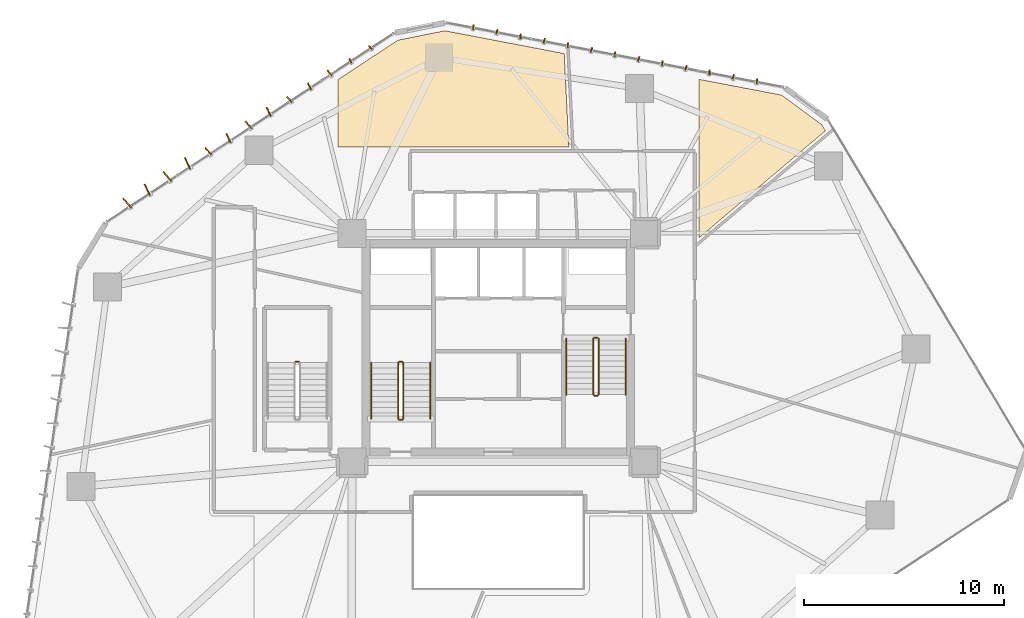
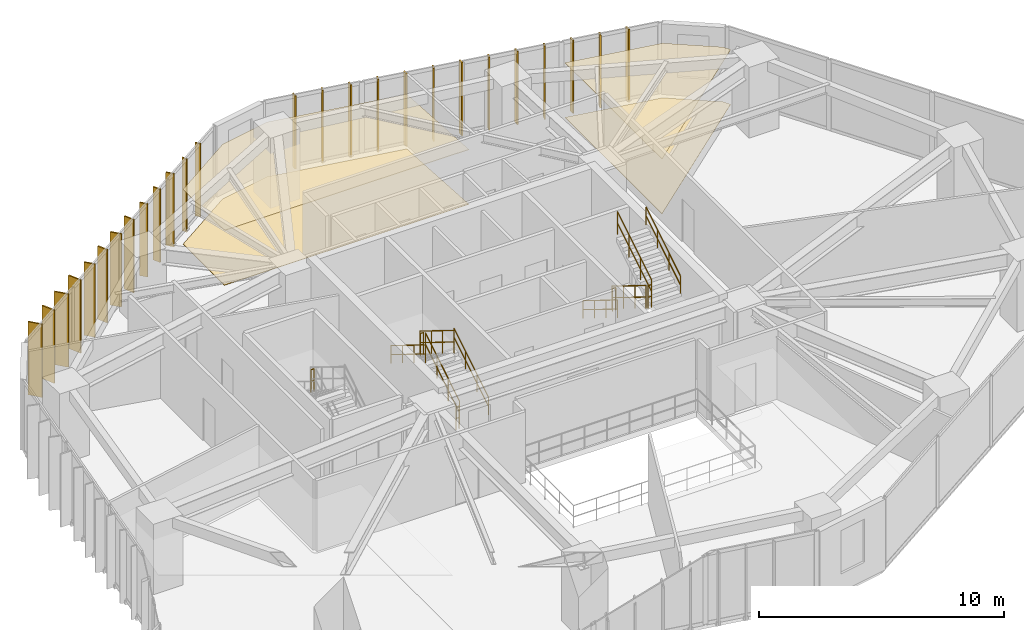
# One storey, part 20 of 20: 26 shading devices, 13 railings, 4 coverings.
"""IFC4 building model written with IfcOpenShell, lengths in metres."""

from ifc_helpers import new_model, si_unit, direction, frame, origin, origin_2d, place, context, subcontext, project, spatial, polyline, rectangle, circle, outline, extrude, source, transform, mapped, material, layer, layer_set, type_object, type_shapes, element, save


model = new_model("IFC4")

# Units and contexts
model_context = context("Model", 3, precision=1e-05, world=origin(), true_north=direction((0.0, 1.0)))
body_context = subcontext(model_context, "Body", "Model", "MODEL_VIEW")
ifc_project = project(units=[si_unit("LENGTHUNIT", "METRE"), si_unit("AREAUNIT", "SQUARE_METRE"), si_unit("VOLUMEUNIT", "CUBIC_METRE"), si_unit("PLANEANGLEUNIT", "RADIAN"), si_unit("MASSUNIT", "GRAM", prefix="KILO")], contexts=[model_context])

# Site, building, storey
site_placement = place(None, origin())
site = spatial("IfcSite", under=ifc_project, at=site_placement, CompositionType="ELEMENT")
building_placement = place(site_placement, origin())
building = spatial("IfcBuilding", under=site, at=building_placement, Name="Talar Marvaseh", CompositionType="ELEMENT")
storey_placement = place(building_placement, frame((0.0, 0.0, 58.199951171875)))
storey = spatial("IfcBuildingStorey", under=building, at=storey_placement, Name="L14", CompositionType="ELEMENT", Elevation=58.199951171875)

# Railings
ifc_material_1 = material(Name="Stainless Steel Grade 316", Category="steel")
railing_type_1 = type_object("IfcRailingType", Name="Brushed Stainless Wall Pitch Handrail 900", PredefinedType="HANDRAIL", material=ifc_material_1)
railing_1_placement = place(storey_placement, frame((22.610107421875, 27.64990234375, 0.1728515625)))
element("IfcRailing", 1, at=railing_1_placement, inside=storey, type_object=railing_type_1, Name="L14 ST-1 stair handrail 1", PredefinedType="HANDRAIL", context=body_context, shape_type="SweptSolid", body=[
    extrude(circle(Radius=0.02392578125, at=origin_2d()), frame((0.0, 0.0, 0.8759765625), z_axis=(0.0, 0.851089632645, 0.525020415988), x_axis=(-1.0, 0.0, 0.0)), (0.0, 0.0, 1.0), 3.2900390625),
    extrude(circle(Radius=0.02392578125, at=origin_2d()), frame((0.0, 0.0, 0.42578125), z_axis=(0.0, 0.851089632645, 0.525020415988), x_axis=(-1.0, 0.0, 0.0)), (0.0, 0.0, 1.0), 3.2900390625),
    extrude(circle(Radius=0.02099609375, at=origin_2d()), origin(), (0.0, 0.0, 1.0), 0.851806640625),
    extrude(circle(Radius=0.02099609375, at=origin_2d()), frame((0.0, 0.933349609375, 0.57568359375)), (0.0, 0.0, 1.0), 0.851806640625),
    extrude(circle(Radius=0.02099609375, at=origin_2d()), frame((0.0, 1.86669921875, 1.151611328125)), (0.0, 0.0, 1.0), 0.851806640625),
    extrude(circle(Radius=0.02099609375, at=origin_2d()), frame((0.0, 2.800048828125, 1.727294921875)), (0.0, 0.0, 1.0), 0.851806640625),
])
railing_2_placement = place(storey_placement, frame((19.64990234375, 30.449951171875, 2.07275390625)))
element("IfcRailing", 2, at=railing_2_placement, inside=storey, type_object=railing_type_1, Name="L14 ST-1 stair handrail 2", PredefinedType="HANDRAIL", context=body_context, shape_type="SweptSolid", body=[
    extrude(circle(Radius=0.02392578125, at=origin_2d()), frame((0.0, 0.0, 0.8759765625), z_axis=(0.0, -0.851089632645, 0.525020415988), x_axis=(1.0, 0.0, 0.0)), (0.0, 0.0, 1.0), 3.2900390625),
    extrude(circle(Radius=0.02392578125, at=origin_2d()), frame((0.0, 0.0, 0.42578125), z_axis=(0.0, -0.851089632645, 0.525020415988), x_axis=(1.0, 0.0, 0.0)), (0.0, 0.0, 1.0), 3.2900390625),
    extrude(circle(Radius=0.02099609375, at=origin_2d()), origin(), (0.0, 0.0, 1.0), 0.851806640625),
    extrude(circle(Radius=0.02099609375, at=origin_2d()), frame((0.0, -0.933349609375, 0.57568359375)), (0.0, 0.0, 1.0), 0.851806640625),
    extrude(circle(Radius=0.02099609375, at=origin_2d()), frame((0.0, -1.86669921875, 1.151611328125)), (0.0, 0.0, 1.0), 0.851806640625),
    extrude(circle(Radius=0.02099609375, at=origin_2d()), frame((0.0, -2.800048828125, 1.727294921875)), (0.0, 0.0, 1.0), 0.851806640625),
])
railing_3_placement = place(storey_placement, frame((29.389892578125, 31.64990234375, 0.1728515625)))
element("IfcRailing", 3, at=railing_3_placement, inside=storey, type_object=railing_type_1, Name="L14 ST-2 stair handrail 1", PredefinedType="HANDRAIL", context=body_context, shape_type="SweptSolid", body=[
    extrude(circle(Radius=0.02392578125, at=origin_2d()), frame((0.0, 0.0, 0.8759765625), z_axis=(0.0, -0.851069175582, 0.525053576669), x_axis=(1.0, 0.0, 0.0)), (0.0, 0.0, 1.0), 3.289794921875),
    extrude(circle(Radius=0.02392578125, at=origin_2d()), frame((0.0, 0.0, 0.42578125), z_axis=(0.0, -0.851069175582, 0.525053576669), x_axis=(1.0, 0.0, 0.0)), (0.0, 0.0, 1.0), 3.289794921875),
    extrude(circle(Radius=0.02099609375, at=origin_2d()), origin(), (0.0, 0.0, 1.0), 0.851806640625),
    extrude(circle(Radius=0.02099609375, at=origin_2d()), frame((0.0, -0.933349609375, 0.57568359375)), (0.0, 0.0, 1.0), 0.851806640625),
    extrude(circle(Radius=0.02099609375, at=origin_2d()), frame((0.0, -1.866455078125, 1.151611328125)), (0.0, 0.0, 1.0), 0.851806640625),
    extrude(circle(Radius=0.02099609375, at=origin_2d()), frame((0.0, -2.7998046875, 1.727294921875)), (0.0, 0.0, 1.0), 0.851806640625),
])
railing_4_placement = place(storey_placement, frame((32.35009765625, 28.85009765625, 2.07275390625)))
element("IfcRailing", 4, at=railing_4_placement, inside=storey, type_object=railing_type_1, Name="L14 ST-2 stair handrail 2", PredefinedType="HANDRAIL", context=body_context, shape_type="SweptSolid", body=[
    extrude(circle(Radius=0.02392578125, at=origin_2d()), frame((0.0, 0.0, 0.8759765625), z_axis=(0.0, 0.851069175582, 0.525053576669), x_axis=(-1.0, 0.0, 0.0)), (0.0, 0.0, 1.0), 3.289794921875),
    extrude(circle(Radius=0.02392578125, at=origin_2d()), frame((0.0, 0.0, 0.42578125), z_axis=(0.0, 0.851069175582, 0.525053576669), x_axis=(-1.0, 0.0, 0.0)), (0.0, 0.0, 1.0), 3.289794921875),
    extrude(circle(Radius=0.02099609375, at=origin_2d()), origin(), (0.0, 0.0, 1.0), 0.851806640625),
    extrude(circle(Radius=0.02099609375, at=origin_2d()), frame((0.0, 0.933349609375, 0.57568359375)), (0.0, 0.0, 1.0), 0.851806640625),
    extrude(circle(Radius=0.02099609375, at=origin_2d()), frame((0.0, 1.866455078125, 1.151611328125)), (0.0, 0.0, 1.0), 0.851806640625),
    extrude(circle(Radius=0.02099609375, at=origin_2d()), frame((0.0, 2.7998046875, 1.727294921875)), (0.0, 0.0, 1.0), 0.851806640625),
])
railing_type_2 = type_object("IfcRailingType", Name="Painted Steel Core Stair Well Guardrail 1150", PredefinedType="GUARDRAIL", material=ifc_material_1)
railing_5_placement = place(storey_placement, frame((21.260009765625, 27.64990234375, 0.1728515625)))
element("IfcRailing", 5, at=railing_5_placement, inside=storey, type_object=railing_type_2, Name="L14 ST-1 stair guard 1", PredefinedType="GUARDRAIL", context=body_context, shape_type="SweptSolid", body=[
    extrude(circle(Radius=0.02392578125, at=origin_2d()), frame((0.0, 0.0, 1.1259765625), z_axis=(0.0, 0.851089632645, 0.525020415988), x_axis=(-1.0, 0.0, 0.0)), (0.0, 0.0, 1.0), 3.2900390625),
    extrude(circle(Radius=0.02392578125, at=origin_2d()), frame((0.0, 0.0, 0.55078125), z_axis=(0.0, 0.851089632645, 0.525020415988), x_axis=(-1.0, 0.0, 0.0)), (0.0, 0.0, 1.0), 3.2900390625),
    extrude(circle(Radius=0.02099609375, at=origin_2d()), origin(), (0.0, 0.0, 1.0), 1.101806640625),
    extrude(circle(Radius=0.02099609375, at=origin_2d()), frame((0.0, 0.933349609375, 0.57568359375)), (0.0, 0.0, 1.0), 1.101806640625),
    extrude(circle(Radius=0.02099609375, at=origin_2d()), frame((0.0, 1.86669921875, 1.151611328125)), (0.0, 0.0, 1.0), 1.101806640625),
    extrude(circle(Radius=0.02099609375, at=origin_2d()), frame((0.0, 2.800048828125, 1.727294921875)), (0.0, 0.0, 1.0), 1.101806640625),
])
railing_6_placement = place(storey_placement, frame((21.2099609375, 30.5, 1.900146484375)))
element("IfcRailing", 6, at=railing_6_placement, inside=storey, type_object=railing_type_2, Name="L14 ST-1 stair guard 2", PredefinedType="GUARDRAIL", context=body_context, shape_type="SweptSolid", body=[
    extrude(circle(Radius=0.02392578125, at=origin_2d()), frame((0.0, 0.0, 1.1259765625), z_axis=(-1.0, 0.0, 0.0), x_axis=(0.0, -1.0, 0.0)), (0.0, 0.0, 1.0), 0.159912109375),
    extrude(circle(Radius=0.02392578125, at=origin_2d()), frame((0.0, 0.0, 0.55078125), z_axis=(-1.0, 0.0, 0.0), x_axis=(0.0, -1.0, 0.0)), (0.0, 0.0, 1.0), 0.159912109375),
    extrude(circle(Radius=0.02099609375, at=origin_2d()), origin(), (0.0, 0.0, 1.0), 1.101806640625),
    extrude(circle(Radius=0.02099609375, at=origin_2d()), frame((-0.159912109375, 0.0, 0.0)), (0.0, 0.0, 1.0), 1.101806640625),
])
railing_7_placement = place(storey_placement, frame((21.0, 30.449951171875, 2.07275390625)))
element("IfcRailing", 7, at=railing_7_placement, inside=storey, type_object=railing_type_2, Name="L14 ST-1 stair guard 3", PredefinedType="GUARDRAIL", context=body_context, shape_type="SweptSolid", body=[
    extrude(circle(Radius=0.02392578125, at=origin_2d()), frame((0.0, 0.0, 1.1259765625), z_axis=(0.0, -0.851089632645, 0.525020415988), x_axis=(1.0, 0.0, 0.0)), (0.0, 0.0, 1.0), 3.2900390625),
    extrude(circle(Radius=0.02392578125, at=origin_2d()), frame((0.0, 0.0, 0.55078125), z_axis=(0.0, -0.851089632645, 0.525020415988), x_axis=(1.0, 0.0, 0.0)), (0.0, 0.0, 1.0), 3.2900390625),
    extrude(circle(Radius=0.02099609375, at=origin_2d()), origin(), (0.0, 0.0, 1.0), 1.101806640625),
    extrude(circle(Radius=0.02099609375, at=origin_2d()), frame((0.0, -0.933349609375, 0.57568359375)), (0.0, 0.0, 1.0), 1.101806640625),
    extrude(circle(Radius=0.02099609375, at=origin_2d()), frame((0.0, -1.86669921875, 1.151611328125)), (0.0, 0.0, 1.0), 1.101806640625),
    extrude(circle(Radius=0.02099609375, at=origin_2d()), frame((0.0, -2.800048828125, 1.727294921875)), (0.0, 0.0, 1.0), 1.101806640625),
])
railing_8_placement = place(storey_placement, frame((21.2099609375, 27.60009765625, 0.0)))
element("IfcRailing", 8, at=railing_8_placement, inside=storey, type_object=railing_type_2, Name="L14 ST-1 stair guard 4", PredefinedType="GUARDRAIL", context=body_context, shape_type="SweptSolid", body=[
    extrude(circle(Radius=0.02392578125, at=origin_2d()), frame((0.0, 0.0, 1.1259765625), z_axis=(-1.0, 0.0, 0.0), x_axis=(0.0, -1.0, 0.0)), (0.0, 0.0, 1.0), 0.159912109375),
    extrude(circle(Radius=0.02392578125, at=origin_2d()), frame((0.0, 0.0, 0.55078125), z_axis=(-1.0, 0.0, 0.0), x_axis=(0.0, -1.0, 0.0)), (0.0, 0.0, 1.0), 0.159912109375),
    extrude(circle(Radius=0.02099609375, at=origin_2d()), origin(), (0.0, 0.0, 1.0), 1.101806640625),
    extrude(circle(Radius=0.02099609375, at=origin_2d()), frame((-0.159912109375, 0.0, 0.0)), (0.0, 0.0, 1.0), 1.101806640625),
])
railing_9_placement = place(storey_placement, frame((30.739990234375, 31.64990234375, 0.1728515625)))
element("IfcRailing", 9, at=railing_9_placement, inside=storey, type_object=railing_type_2, Name="L14 ST-2 stair guard 1", PredefinedType="GUARDRAIL", context=body_context, shape_type="SweptSolid", body=[
    extrude(circle(Radius=0.02392578125, at=origin_2d()), frame((0.0, 0.0, 1.1259765625), z_axis=(0.0, -0.851069175582, 0.525053576669), x_axis=(1.0, 0.0, 0.0)), (0.0, 0.0, 1.0), 3.289794921875),
    extrude(circle(Radius=0.02392578125, at=origin_2d()), frame((0.0, 0.0, 0.55078125), z_axis=(0.0, -0.851069175582, 0.525053576669), x_axis=(1.0, 0.0, 0.0)), (0.0, 0.0, 1.0), 3.289794921875),
    extrude(circle(Radius=0.02099609375, at=origin_2d()), origin(), (0.0, 0.0, 1.0), 1.101806640625),
    extrude(circle(Radius=0.02099609375, at=origin_2d()), frame((0.0, -0.933349609375, 0.57568359375)), (0.0, 0.0, 1.0), 1.101806640625),
    extrude(circle(Radius=0.02099609375, at=origin_2d()), frame((0.0, -1.866455078125, 1.151611328125)), (0.0, 0.0, 1.0), 1.101806640625),
    extrude(circle(Radius=0.02099609375, at=origin_2d()), frame((0.0, -2.7998046875, 1.727294921875)), (0.0, 0.0, 1.0), 1.101806640625),
])
railing_10_placement = place(storey_placement, frame((30.7900390625, 28.800048828125, 1.900146484375)))
element("IfcRailing", 10, at=railing_10_placement, inside=storey, type_object=railing_type_2, Name="L14 ST-2 stair guard 2", PredefinedType="GUARDRAIL", context=body_context, shape_type="SweptSolid", body=[
    extrude(circle(Radius=0.02392578125, at=origin_2d()), frame((0.0, 0.0, 1.1259765625), z_axis=(1.0, 0.0, 0.0), x_axis=(0.0, 1.0, 0.0)), (0.0, 0.0, 1.0), 0.159912109375),
    extrude(circle(Radius=0.02392578125, at=origin_2d()), frame((0.0, 0.0, 0.55078125), z_axis=(1.0, 0.0, 0.0), x_axis=(0.0, 1.0, 0.0)), (0.0, 0.0, 1.0), 0.159912109375),
    extrude(circle(Radius=0.02099609375, at=origin_2d()), origin(), (0.0, 0.0, 1.0), 1.101806640625),
    extrude(circle(Radius=0.02099609375, at=origin_2d()), frame((0.159912109375, 0.0, 0.0)), (0.0, 0.0, 1.0), 1.101806640625),
])
railing_11_placement = place(storey_placement, frame((31.0, 28.85009765625, 2.07275390625)))
element("IfcRailing", 11, at=railing_11_placement, inside=storey, type_object=railing_type_2, Name="L14 ST-2 stair guard 3", PredefinedType="GUARDRAIL", context=body_context, shape_type="SweptSolid", body=[
    extrude(circle(Radius=0.02392578125, at=origin_2d()), frame((0.0, 0.0, 1.1259765625), z_axis=(0.0, 0.851069175582, 0.525053576669), x_axis=(-1.0, 0.0, 0.0)), (0.0, 0.0, 1.0), 3.289794921875),
    extrude(circle(Radius=0.02392578125, at=origin_2d()), frame((0.0, 0.0, 0.55078125), z_axis=(0.0, 0.851069175582, 0.525053576669), x_axis=(-1.0, 0.0, 0.0)), (0.0, 0.0, 1.0), 3.289794921875),
    extrude(circle(Radius=0.02099609375, at=origin_2d()), origin(), (0.0, 0.0, 1.0), 1.101806640625),
    extrude(circle(Radius=0.02099609375, at=origin_2d()), frame((0.0, 0.933349609375, 0.57568359375)), (0.0, 0.0, 1.0), 1.101806640625),
    extrude(circle(Radius=0.02099609375, at=origin_2d()), frame((0.0, 1.866455078125, 1.151611328125)), (0.0, 0.0, 1.0), 1.101806640625),
    extrude(circle(Radius=0.02099609375, at=origin_2d()), frame((0.0, 2.7998046875, 1.727294921875)), (0.0, 0.0, 1.0), 1.101806640625),
])
railing_12_placement = place(storey_placement, frame((30.7900390625, 31.699951171875, 0.0)))
element("IfcRailing", 12, at=railing_12_placement, inside=storey, type_object=railing_type_2, Name="L14 ST-2 stair guard 4", PredefinedType="GUARDRAIL", context=body_context, shape_type="SweptSolid", body=[
    extrude(circle(Radius=0.02392578125, at=origin_2d()), frame((0.0, 0.0, 1.1259765625), z_axis=(1.0, 0.0, 0.0), x_axis=(0.0, 1.0, 0.0)), (0.0, 0.0, 1.0), 0.159912109375),
    extrude(circle(Radius=0.02392578125, at=origin_2d()), frame((0.0, 0.0, 0.55078125), z_axis=(1.0, 0.0, 0.0), x_axis=(0.0, 1.0, 0.0)), (0.0, 0.0, 1.0), 0.159912109375),
    extrude(circle(Radius=0.02099609375, at=origin_2d()), origin(), (0.0, 0.0, 1.0), 1.101806640625),
    extrude(circle(Radius=0.02099609375, at=origin_2d()), frame((0.159912109375, 0.0, 0.0)), (0.0, 0.0, 1.0), 1.101806640625),
])
railing_13_placement = place(storey_placement, frame((16.050048828125, 30.5, 1.900146484375)))
element("IfcRailing", 13, at=railing_13_placement, inside=storey, type_object=railing_type_2, Name="L14 ST-3 stair guard 2", PredefinedType="GUARDRAIL", context=body_context, shape_type="SweptSolid", body=[
    extrude(circle(Radius=0.02392578125, at=origin_2d()), frame((0.0, 0.0, 1.1259765625), z_axis=(-1.0, 0.0, 0.0), x_axis=(0.0, -1.0, 0.0)), (0.0, 0.0, 1.0), 0.16015625),
    extrude(circle(Radius=0.02392578125, at=origin_2d()), frame((0.0, 0.0, 0.55078125), z_axis=(-1.0, 0.0, 0.0), x_axis=(0.0, -1.0, 0.0)), (0.0, 0.0, 1.0), 0.16015625),
    extrude(circle(Radius=0.02099609375, at=origin_2d()), origin(), (0.0, 0.0, 1.0), 1.101806640625),
    extrude(circle(Radius=0.02099609375, at=origin_2d()), frame((-0.16015625, 0.0, 0.0)), (0.0, 0.0, 1.0), 1.101806640625),
])

# Coverings
ifc_material_2 = material(Name="Mineral Fibre Acoustic Ceiling")
ifc_layer_1 = layer(ifc_material_2, 0.02490234375)
ifc_layer_set_1 = layer_set([ifc_layer_1], Name="Mineral Fibre Acoustic Ceiling")
covering_type_1 = type_object("IfcCoveringType", Name="Perforated Mineral Fibre Acoustic Suspended Ceiling", PredefinedType="CEILING", material=ifc_layer_set_1)
covering_1_placement = place(storey_placement, frame((0.0, 0.0, 2.719970703125)))
element("IfcCovering", 14, at=covering_1_placement, inside=storey, type_object=covering_type_1, Name="L14 Chamber Recital Salon Acoustic Ceiling", PredefinedType="CEILING", context=body_context, shape_type="SweptSolid", body=[
    extrude(outline(polyline([(42.13037109375, 42.3251953125), (42.3173828125, 42.012939453125), (36.0, 36.668701171875), (36.0, 41.0), (36.0, 44.5849609375), (40.135498046875, 43.794677734375), (42.13037109375, 42.3251953125)])), origin(), (0.0, 0.0, 1.0), 0.025146484375),
])
covering_2_placement = place(storey_placement, frame((0.0, 0.0, 2.719970703125)))
element("IfcCovering", 15, at=covering_2_placement, inside=storey, type_object=covering_type_1, Name="L14 Digital Paleography Studio Acoustic Ceiling", PredefinedType="CEILING", context=body_context, shape_type="SweptSolid", body=[
    extrude(outline(polyline([(23.310546875, 47.0), (23.361083984375, 47.0), (29.286865234375, 45.86767578125), (29.5185546875, 41.199951171875), (21.60009765625, 41.199951171875), (18.0, 41.199951171875), (18.0, 44.569580078125), (20.997802734375, 46.5400390625), (23.310546875, 47.0)])), origin(), (0.0, 0.0, 1.0), 0.025146484375),
])
ifc_material_3 = material(Name="Porcelain Stoneware Tile", Category="masonry")
ifc_layer_2 = layer(ifc_material_3, 0.02001953125)
ifc_layer_set_2 = layer_set([ifc_layer_2], Name="Porcelain Stoneware Tile")
covering_type_2 = type_object("IfcCoveringType", Name="Polished Porcelain Stoneware Gallery Flooring", PredefinedType="FLOORING", material=ifc_layer_set_2)
covering_3_placement = place(storey_placement, origin())
element("IfcCovering", 16, at=covering_3_placement, inside=storey, type_object=covering_type_2, Name="L14 Chamber Recital Salon Flooring", PredefinedType="FLOORING", context=body_context, shape_type="SweptSolid", body=[
    extrude(outline(polyline([(42.13037109375, 42.3251953125), (42.3173828125, 42.012939453125), (36.0, 36.668701171875), (36.0, 41.0), (36.0, 44.5849609375), (40.135498046875, 43.794677734375), (42.13037109375, 42.3251953125)])), origin(), (0.0, 0.0, 1.0), 0.02001953125),
])
covering_4_placement = place(storey_placement, origin())
element("IfcCovering", 17, at=covering_4_placement, inside=storey, type_object=covering_type_2, Name="L14 Digital Paleography Studio Flooring", PredefinedType="FLOORING", context=body_context, shape_type="SweptSolid", body=[
    extrude(outline(polyline([(23.310546875, 47.0), (23.361083984375, 47.0), (29.286865234375, 45.86767578125), (29.5185546875, 41.199951171875), (21.60009765625, 41.199951171875), (18.0, 41.199951171875), (18.0, 44.569580078125), (20.997802734375, 46.5400390625), (23.310546875, 47.0)])), origin(), (0.0, 0.0, 1.0), 0.02001953125),
])

# Shading devices
ifc_material_4 = material(Name="Anodised Champagne Bronze Aluminium", Category="aluminium")
ifc_layer_3 = layer(ifc_material_4, 0.06494140625)
ifc_layer_set_3 = layer_set([ifc_layer_3], Name="Anodised Champagne Bronze Aluminium")
shading_device_type_1 = type_object("IfcShadingDeviceType", Name="Sawtooth Champagne Bronze Vertical Fin 240", PredefinedType="USERDEFINED", material=ifc_layer_set_3)
shared_shape_1 = source(origin(), body_context, "Body", "SweptSolid", [
    extrude(rectangle(XDim=0.239990234375, YDim=0.06494140625, at=origin_2d()), origin(), (0.0, 0.0, 1.0), 3.639892578125),
])
type_shapes(shading_device_type_1, [shared_shape_1])
for number, where, z_axis, x_axis, name in (
    (18, (18.6162109375, 45.507080078125, -0.1201171875), (0.0, 0.0, 1.0), (-0.427673421689, 0.903933318548, 0.0), "L14 Sawtooth Vertical Solar Fin"),
    (19, (19.618896484375, 46.166259765625, -0.1201171875), (0.0, 0.0, 1.0), (-0.6602638684, 0.751033703695, 0.0), "L14 Sawtooth Vertical Solar Fin"),
    (20, (24.752197265625, 47.187255859375, -0.1201171875), (0.0, 0.0, 1.0), (0.049198415926, 0.998789024705, 0.0), "L14 Sawtooth Vertical Solar Fin"),
    (21, (25.930908203125, 46.9619140625, -0.1201171875), (0.0, 0.0, 1.0), (0.322596118519, 0.946536710496, 0.0), "L14 Sawtooth Vertical Solar Fin"),
    (22, (27.109619140625, 46.73681640625, -0.1201171875), (0.0, 0.0, 1.0), (0.049198415926, 0.998789024705, 0.0), "L14 Sawtooth Vertical Solar Fin"),
    (23, (28.2880859375, 46.51171875, -0.1201171875), (0.0, 0.0, 1.0), (0.322596118519, 0.946536710496, 0.0), "L14 Sawtooth Vertical Solar Fin"),
    (24, (29.466796875, 46.286376953125, -0.1201171875), (0.0, 0.0, 1.0), (0.049198415926, 0.998789024705, 0.0), "L14 Sawtooth Vertical Solar Fin"),
    (25, (30.6455078125, 46.06103515625, -0.1201171875), (0.0, 0.0, 1.0), (0.322596118519, 0.946536710496, 0.0), "L14 Sawtooth Vertical Solar Fin"),
    (26, (31.82421875, 45.8359375, -0.1201171875), (0.0, 0.0, 1.0), (0.049198415926, 0.998789024705, 0.0), "L14 Sawtooth Vertical Solar Fin"),
    (27, (33.0029296875, 45.610595703125, -0.1201171875), (0.0, 0.0, 1.0), (0.322596118519, 0.946536710496, 0.0), "L14 Sawtooth Vertical Solar Fin"),
    (28, (34.181640625, 45.385498046875, -0.1201171875), (0.0, 0.0, 1.0), (0.049198415926, 0.998789024705, 0.0), "L14 Sawtooth Vertical Solar Fin"),
    (29, (35.360107421875, 45.16015625, -0.1201171875), (0.0, 0.0, 1.0), (0.322596118519, 0.946536710496, 0.0), "L14 Sawtooth Vertical Solar Fin"),
    (30, (36.538818359375, 44.93505859375, -0.1201171875), (0.0, 0.0, 1.0), (0.049198415926, 0.998789024705, 0.0), "L14 Sawtooth Vertical Solar Fin"),
    (31, (37.717529296875, 44.709716796875, -0.1201171875), (0.0, 0.0, 1.0), (0.322596118519, 0.946536710496, 0.0), "L14 Sawtooth Vertical Solar Fin"),
    (32, (38.896240234375, 44.484619140625, -0.1201171875), (0.0, 0.0, 1.0), (0.049198415926, 0.998789024705, 0.0), "L14 Sawtooth Vertical Solar Fin"),
):
    element("IfcShadingDevice", number, at=place(storey_placement, frame(where, z_axis=z_axis, x_axis=x_axis)), inside=storey, type_object=shading_device_type_1, Name=name, ObjectType="FIN", PredefinedType="USERDEFINED", context=body_context, shape_type="MappedRepresentation", body=[
        mapped(shared_shape_1, transform((0.0, 0.0, 0.0), x_axis=(1.0, 0.0, 0.0), y_axis=(0.0, 1.0, 0.0), z_axis=(0.0, 0.0, 1.0), scale=1.0)),
    ])
ifc_layer_4 = layer(ifc_material_4, 0.06494140625)
ifc_layer_set_4 = layer_set([ifc_layer_4], Name="Anodised Champagne Bronze Aluminium")
shading_device_type_2 = type_object("IfcShadingDeviceType", Name="Sawtooth Champagne Bronze Vertical Fin 360", PredefinedType="USERDEFINED", material=ifc_layer_set_4)
shared_shape_2 = source(origin(), body_context, "Body", "SweptSolid", [
    extrude(rectangle(XDim=0.360107421875, YDim=0.06494140625, at=origin_2d()), origin(), (0.0, 0.0, 1.0), 3.639892578125),
])
type_shapes(shading_device_type_2, [shared_shape_2])
for number, where, z_axis, x_axis, name in (
    (33, (15.57470703125, 43.579833984375, -0.1201171875), (0.0, 0.0, 1.0), (-0.6602638684, 0.751033703695, 0.0), "L14 Sawtooth Vertical Solar Fin"),
    (34, (16.57763671875, 44.239013671875, -0.1201171875), (0.0, 0.0, 1.0), (-0.427673421689, 0.903933318548, 0.0), "L14 Sawtooth Vertical Solar Fin"),
    (35, (17.580322265625, 44.89794921875, -0.1201171875), (0.0, 0.0, 1.0), (-0.6602638684, 0.751033703695, 0.0), "L14 Sawtooth Vertical Solar Fin"),
):
    element("IfcShadingDevice", number, at=place(storey_placement, frame(where, z_axis=z_axis, x_axis=x_axis)), inside=storey, type_object=shading_device_type_2, Name=name, ObjectType="FIN", PredefinedType="USERDEFINED", context=body_context, shape_type="MappedRepresentation", body=[
        mapped(shared_shape_2, transform((0.0, 0.0, 0.0), x_axis=(1.0, 0.0, 0.0), y_axis=(0.0, 1.0, 0.0), z_axis=(0.0, 0.0, 1.0), scale=1.0)),
    ])
ifc_layer_5 = layer(ifc_material_4, 0.06494140625)
ifc_layer_set_5 = layer_set([ifc_layer_5], Name="Anodised Champagne Bronze Aluminium")
shading_device_type_3 = type_object("IfcShadingDeviceType", Name="Sawtooth Champagne Bronze Vertical Fin 480", PredefinedType="USERDEFINED", material=ifc_layer_set_5)
shared_shape_3 = source(origin(), body_context, "Body", "SweptSolid", [
    extrude(rectangle(XDim=0.47998046875, YDim=0.06494140625, at=origin_2d()), origin(), (0.0, 0.0, 1.0), 3.639892578125),
])
type_shapes(shading_device_type_3, [shared_shape_3])
for number, where, z_axis, x_axis, name in (
    (36, (11.53076171875, 40.993408203125, -0.1201171875), (0.0, 0.0, 1.0), (-0.6602638684, 0.751033703695, 0.0), "L14 Sawtooth Vertical Solar Fin"),
    (37, (12.53369140625, 41.652587890625, -0.1201171875), (0.0, 0.0, 1.0), (-0.427673421689, 0.903933318548, 0.0), "L14 Sawtooth Vertical Solar Fin"),
    (38, (13.536376953125, 42.3115234375, -0.1201171875), (0.0, 0.0, 1.0), (-0.6602638684, 0.751033703695, 0.0), "L14 Sawtooth Vertical Solar Fin"),
    (39, (14.5390625, 42.970703125, -0.1201171875), (0.0, 0.0, 1.0), (-0.427673421689, 0.903933318548, 0.0), "L14 Sawtooth Vertical Solar Fin"),
):
    element("IfcShadingDevice", number, at=place(storey_placement, frame(where, z_axis=z_axis, x_axis=x_axis)), inside=storey, type_object=shading_device_type_3, Name=name, ObjectType="FIN", PredefinedType="USERDEFINED", context=body_context, shape_type="MappedRepresentation", body=[
        mapped(shared_shape_3, transform((0.0, 0.0, 0.0), x_axis=(1.0, 0.0, 0.0), y_axis=(0.0, 1.0, 0.0), z_axis=(0.0, 0.0, 1.0), scale=1.0)),
    ])
ifc_layer_6 = layer(ifc_material_4, 0.06494140625)
ifc_layer_set_6 = layer_set([ifc_layer_6], Name="Anodised Champagne Bronze Aluminium")
shading_device_type_4 = type_object("IfcShadingDeviceType", Name="Sawtooth Champagne Bronze Vertical Fin 620", PredefinedType="USERDEFINED", material=ifc_layer_set_6)
shared_shape_4 = source(origin(), body_context, "Body", "SweptSolid", [
    extrude(rectangle(XDim=0.6201171875, YDim=0.06494140625, at=origin_2d()), origin(), (0.0, 0.0, 1.0), 3.639892578125),
])
type_shapes(shading_device_type_4, [shared_shape_4])
for number, where, z_axis, x_axis, name in (
    (40, (7.481201171875, 38.415283203125, -0.1201171875), (0.0, 0.0, 1.0), (-0.6602638684, 0.751033703695, 0.0), "L14 Sawtooth Vertical Solar Fin"),
    (41, (8.484130859375, 39.074462890625, -0.1201171875), (0.0, 0.0, 1.0), (-0.427673421689, 0.903933318548, 0.0), "L14 Sawtooth Vertical Solar Fin"),
    (42, (9.48681640625, 39.733642578125, -0.1201171875), (0.0, 0.0, 1.0), (-0.6602638684, 0.751033703695, 0.0), "L14 Sawtooth Vertical Solar Fin"),
    (43, (10.489501953125, 40.392578125, -0.1201171875), (0.0, 0.0, 1.0), (-0.427673421689, 0.903933318548, 0.0), "L14 Sawtooth Vertical Solar Fin"),
):
    element("IfcShadingDevice", number, at=place(storey_placement, frame(where, z_axis=z_axis, x_axis=x_axis)), inside=storey, type_object=shading_device_type_4, Name=name, ObjectType="FIN", PredefinedType="USERDEFINED", context=body_context, shape_type="MappedRepresentation", body=[
        mapped(shared_shape_4, transform((0.0, 0.0, 0.0), x_axis=(1.0, 0.0, 0.0), y_axis=(0.0, 1.0, 0.0), z_axis=(0.0, 0.0, 1.0), scale=1.0)),
    ])

save(model, "model.ifc")
